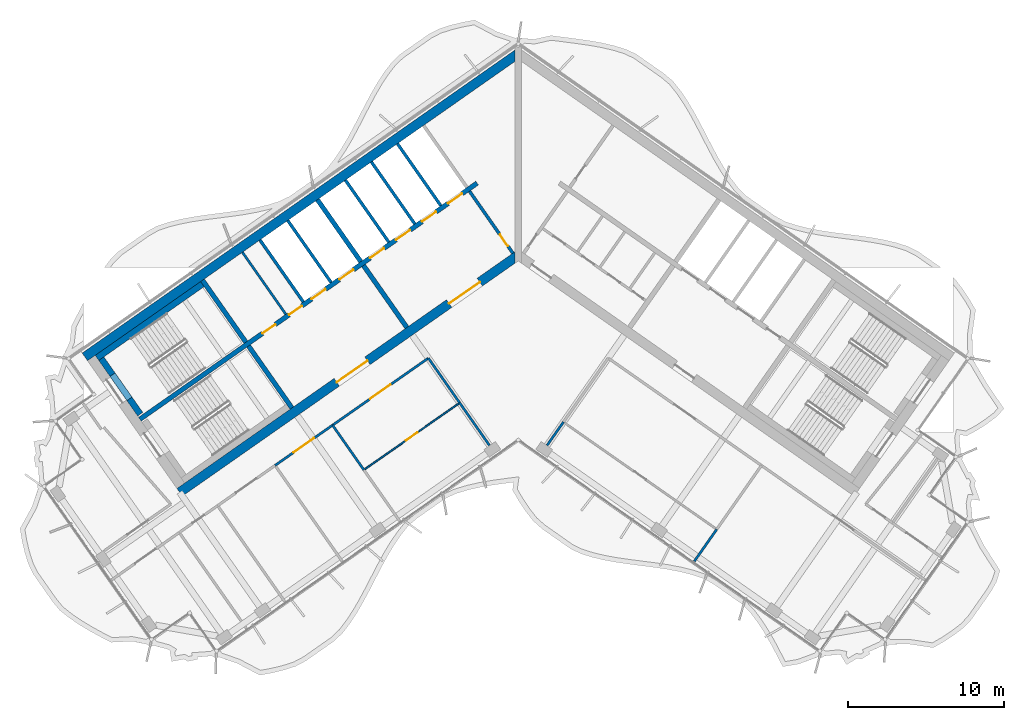
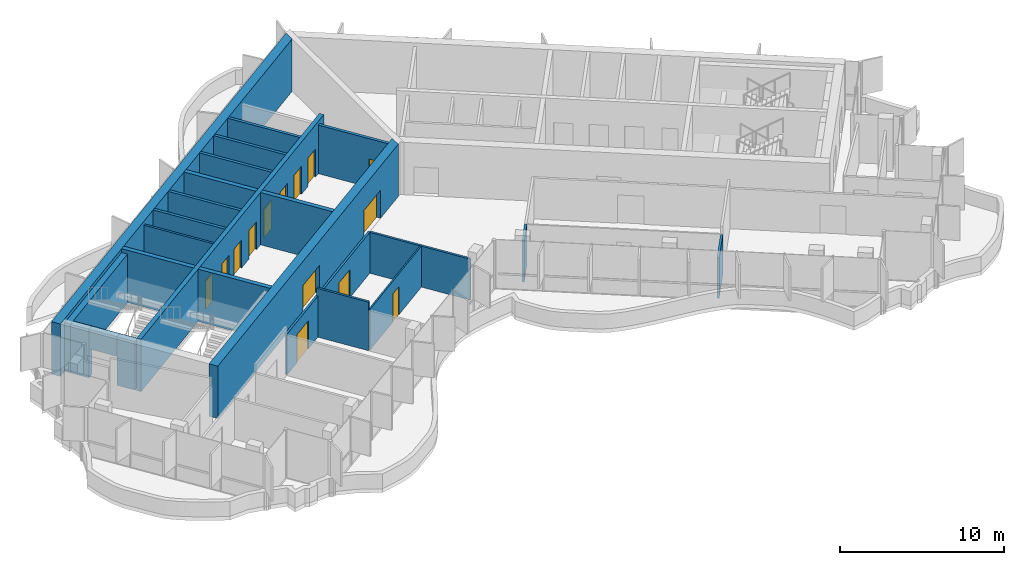
# One storey, part 9 of 18: 26 walls, 14 doors, 14 openings.
"""IFC4 building model written with IfcOpenShell, lengths in metres."""

from ifc_helpers import new_model, si_unit, direction, frame, frame_2d, origin, place, context, subcontext, project, spatial, polyline, rectangle, outline, extrude, material, layer, layer_set, type_object, element, fill, save


model = new_model("IFC4")

# Units and contexts
model_context = context("Model", 3, precision=1e-05, world=origin(), true_north=direction((0.0, 1.0)))
body_context = subcontext(model_context, "Body", "Model", "MODEL_VIEW")
ifc_project = project(units=[si_unit("LENGTHUNIT", "METRE"), si_unit("AREAUNIT", "SQUARE_METRE"), si_unit("VOLUMEUNIT", "CUBIC_METRE"), si_unit("PLANEANGLEUNIT", "RADIAN"), si_unit("MASSUNIT", "GRAM", prefix="KILO")], contexts=[model_context])

# Site, building, storey
site_placement = place(None, origin())
site = spatial("IfcSite", under=ifc_project, at=site_placement, CompositionType="ELEMENT")
building_placement = place(site_placement, origin())
building = spatial("IfcBuilding", under=site, at=building_placement, Name="Tel Ilan Convention Tower", CompositionType="ELEMENT")
storey_placement = place(building_placement, frame((0.0, 0.0, 299.5)))
storey = spatial("IfcBuildingStorey", under=building, at=storey_placement, Name="L71", CompositionType="ELEMENT", Elevation=299.5)

# Wall
ifc_material_1 = material(Name="Gypsum Plasterboard on Steel Stud", Category="steel")
ifc_layer_1 = layer(ifc_material_1, 0.14990234375)
ifc_layer_set_1 = layer_set([ifc_layer_1], Name="Core Room Partition Wall 150 mm EI 60")
wall_type_1 = type_object("IfcWallType", Name="Core Room Partition Wall 150 mm EI 60", PredefinedType="PARTITIONING", material=ifc_layer_set_1)
wall_1_placement = place(storey_placement, frame((-14.909423828125, -4.64111328125, 0.0), z_axis=(0.0, 0.0, 1.0), x_axis=(-0.573560315113, 0.819163332265, 0.0)))
element("IfcWall", 1, at=wall_1_placement, inside=storey, type_object=wall_type_1, Name="L71 core wall bank-W2-split", PredefinedType="PARTITIONING", context=body_context, shape_type="SweptSolid", body=[
    extrude(rectangle(XDim=4.849853515625, YDim=0.14990234375, at=frame_2d((2.4248046875, 0.0))), origin(), (0.0, 0.0, 1.0), 3.6201171875),
])

# Wall, opening, door
ifc_material_2 = material(Name="Concrete C30/37", Category="concrete")
ifc_layer_2 = layer(ifc_material_2, 0.199951171875)
ifc_layer_set_2 = layer_set([ifc_layer_2], Name="Core Service Room Wall 200 mm C30/37")
wall_type_2 = type_object("IfcWallType", Name="Core Service Room Wall 200 mm C30/37", PredefinedType="SOLIDWALL", material=ifc_layer_set_2)
wall_2_placement = place(storey_placement, frame((-0.343994140625, -0.729248046875, 0.0), z_axis=(0.0, 0.0, 1.0), x_axis=(-0.573560315113, 0.819163332265, 0.0)))
wall_2 = element("IfcWall", 2, at=wall_2_placement, inside=storey, type_object=wall_type_2, Name="L71 core wall apex-W", PredefinedType="SOLIDWALL", context=body_context, shape_type="SweptSolid", body=[
    extrude(rectangle(XDim=4.849853515625, YDim=0.199951171875, at=frame_2d((2.4248046875, 0.0))), origin(), (0.0, 0.0, 1.0), 3.6201171875),
])
opening_1_placement = place(wall_2_placement, frame((0.550048828125, 0.0, 0.0)))
opening_1 = element("IfcOpeningElement", 3, at=opening_1_placement, cuts=wall_2, Name="Opening CD5402", PredefinedType="OPENING", context=body_context, shape_type="SweptSolid", body=[
    extrude(rectangle(XDim=0.89990234375, YDim=2.10009765625, at=frame_2d((0.449951171875, 1.050048828125))), frame((0.0, 0.10986328125, 0.0), z_axis=(0.0, -1.0, 0.0), x_axis=(1.0, 0.0, 0.0)), (0.0, 0.0, 1.0), 0.219970703125),
])
ifc_material_3 = material(Name="Galvanised Steel Door Leaf", Category="steel")
door_type_1 = type_object("IfcDoorType", Name="Service Room Door 900 x 2100 FD60", OperationType="NOTDEFINED", PredefinedType="DOOR", material=ifc_material_3)
door_1_placement = place(opening_1_placement, origin())
door_1 = element("IfcDoor", 4, at=door_1_placement, inside=storey, type_object=door_type_1, Name="Telecom Room door", OperationType="SINGLE_SWING_RIGHT", OverallHeight=2.10009765625, OverallWidth=0.89990234375, PredefinedType="DOOR", context=body_context, shape_type="SweptSolid", body=[
    extrude(rectangle(XDim=0.89990234375, YDim=2.10009765625, at=frame_2d((0.449951171875, 1.050048828125))), frame((0.0, 0.02490234375, 0.0), z_axis=(0.0, -1.0, 0.0), x_axis=(1.0, 0.0, 0.0)), (0.0, 0.0, 1.0), 0.050048828125),
])
fill(opening_1, door_1)

# Walls
ifc_material_4 = material(Name="Concrete C40/50", Category="concrete")
ifc_layer_3 = layer(ifc_material_4, 0.300048828125)
ifc_layer_set_3 = layer_set([ifc_layer_3], Name="Core Shear Wall 300 mm C40/50")
wall_type_3 = type_object("IfcWallType", Name="Core Shear Wall 300 mm C40/50", PredefinedType="SHEAR", material=ifc_layer_set_3)
wall_3_placement = place(storey_placement, frame((-7.142822265625, -5.48974609375, 0.0), z_axis=(0.0, 0.0, 1.0), x_axis=(-0.573617744349, 0.819123118565, 0.0)))
element("IfcWall", 5, at=wall_3_placement, inside=storey, type_object=wall_type_3, Name="L71 core wall W-cross1-1", PredefinedType="SHEAR", context=body_context, shape_type="SweptSolid", body=[
    extrude(outline(polyline([(4.85009765625, 0.14990234375), (0.0, 0.150146484375), (0.0, -0.14990234375), (4.85009765625, -0.150146484375), (4.85009765625, 0.14990234375)])), origin(), (0.0, 0.0, 1.0), 3.89990234375),
])
wall_4_placement = place(storey_placement, frame((-10.096923828125, -1.271240234375, 0.0), z_axis=(0.0, 0.0, 1.0), x_axis=(-0.573560315113, 0.819163332265, 0.0)))
element("IfcWall", 6, at=wall_4_placement, inside=storey, type_object=wall_type_3, Name="L71 core wall W-cross1-2", PredefinedType="SHEAR", context=body_context, shape_type="SweptSolid", body=[
    extrude(outline(polyline([(4.849853515625, -0.14990234375), (4.849853515625, 0.150146484375), (0.0, 0.14990234375), (0.0, -0.150146484375), (4.849853515625, -0.14990234375)])), origin(), (0.0, 0.0, 1.0), 3.89990234375),
])
wall_5_placement = place(storey_placement, frame((-14.515380859375, -10.652099609375, 0.0), z_axis=(0.0, 0.0, 1.0), x_axis=(-0.573560315113, 0.819163332265, 0.0)))
element("IfcWall", 7, at=wall_5_placement, inside=storey, type_object=wall_type_3, Name="L71 core wall W-cross2-1", PredefinedType="SHEAR", context=body_context, shape_type="SweptSolid", body=[
    extrude(outline(polyline([(4.85009765625, 0.14990234375), (0.0, 0.14990234375), (0.0, -0.150146484375), (4.85009765625, -0.14990234375), (4.85009765625, 0.14990234375)])), origin(), (0.0, 0.0, 1.0), 3.89990234375),
])
wall_6_placement = place(storey_placement, frame((-17.46923828125, -6.433349609375, 0.0), z_axis=(0.0, 0.0, 1.0), x_axis=(-0.573594092424, 0.81913968109, 0.0)))
element("IfcWall", 8, at=wall_6_placement, inside=storey, type_object=wall_type_3, Name="L71 core wall W-cross2-2", PredefinedType="SHEAR", context=body_context, shape_type="SweptSolid", body=[
    extrude(outline(polyline([(4.849853515625, -0.150146484375), (4.849853515625, 0.14990234375), (0.0, 0.14990234375), (0.0, -0.14990234375), (4.849853515625, -0.150146484375)])), origin(), (0.0, 0.0, 1.0), 3.89990234375),
])

# Wall, openings, doors
wall_7_placement = place(storey_placement, frame((-2.638427734375, 3.76806640625, 0.0), z_axis=(0.0, 0.0, 1.0), x_axis=(-0.819155014212, -0.573572194837, 0.0)))
wall_7 = element("IfcWall", 9, at=wall_7_placement, inside=storey, type_object=wall_type_3, Name="L71 core wall W-spine", PredefinedType="SHEAR", context=body_context, shape_type="SweptSolid", body=[
    extrude(outline(polyline([(26.39990234375, 0.150146484375), (0.0, 0.14990234375), (0.0, -0.150146484375), (26.39990234375, -0.14990234375), (26.39990234375, 0.150146484375)])), origin(), (0.0, 0.0, 1.0), 3.89990234375),
])
opening_2_placement = place(wall_7_placement, frame((1.168701171875, 0.0, 0.0)))
opening_2 = element("IfcOpeningElement", 10, at=opening_2_placement, cuts=wall_7, Name="Opening LD5404", PredefinedType="OPENING", context=body_context, shape_type="SweptSolid", body=[
    extrude(rectangle(XDim=1.10009765625, YDim=2.10009765625, at=frame_2d((0.550048828125, 1.050048828125))), frame((0.0, 0.159912109375, 0.0), z_axis=(0.0, -1.0, 0.0), x_axis=(1.0, 0.0, 0.0)), (0.0, 0.0, 1.0), 0.320068359375),
])
opening_3_placement = place(wall_7_placement, frame((3.206298828125, 0.0, 0.0)))
opening_3 = element("IfcOpeningElement", 11, at=opening_3_placement, cuts=wall_7, Name="Opening LD5405", PredefinedType="OPENING", context=body_context, shape_type="SweptSolid", body=[
    extrude(rectangle(XDim=1.10009765625, YDim=2.10009765625, at=frame_2d((0.550048828125, 1.050048828125))), frame((0.0, 0.159912109375, 0.0), z_axis=(0.0, -1.0, 0.0), x_axis=(1.0, 0.0, 0.0)), (0.0, 0.0, 1.0), 0.320068359375),
])
opening_4_placement = place(wall_7_placement, frame((5.24365234375, 0.0, 0.0)))
opening_4 = element("IfcOpeningElement", 12, at=opening_4_placement, cuts=wall_7, Name="Opening LD5406", PredefinedType="OPENING", context=body_context, shape_type="SweptSolid", body=[
    extrude(rectangle(XDim=1.10009765625, YDim=2.10009765625, at=frame_2d((0.550048828125, 1.050048828125))), frame((0.0, 0.159912109375, 0.0), z_axis=(0.0, -1.0, 0.0), x_axis=(1.0, 0.0, 0.0)), (0.0, 0.0, 1.0), 0.320068359375),
])
opening_5_placement = place(wall_7_placement, frame((7.28125, 0.0, 0.0)))
opening_5 = element("IfcOpeningElement", 13, at=opening_5_placement, cuts=wall_7, Name="Opening LD5407", PredefinedType="OPENING", context=body_context, shape_type="SweptSolid", body=[
    extrude(rectangle(XDim=1.10009765625, YDim=2.10009765625, at=frame_2d((0.550048828125, 1.050048828125))), frame((0.0, 0.159912109375, 0.0), z_axis=(0.0, -1.0, 0.0), x_axis=(1.0, 0.0, 0.0)), (0.0, 0.0, 1.0), 0.320068359375),
])
opening_6_placement = place(wall_7_placement, frame((9.6875, 0.0, 0.0)))
opening_6 = element("IfcOpeningElement", 14, at=opening_6_placement, cuts=wall_7, Name="Opening LD5408", PredefinedType="OPENING", context=body_context, shape_type="SweptSolid", body=[
    extrude(rectangle(XDim=1.10009765625, YDim=2.10009765625, at=frame_2d((0.550048828125, 1.050048828125))), frame((0.0, 0.159912109375, 0.0), z_axis=(0.0, -1.0, 0.0), x_axis=(1.0, 0.0, 0.0)), (0.0, 0.0, 1.0), 0.320068359375),
])
opening_7_placement = place(wall_7_placement, frame((11.862548828125, 0.0, 0.0)))
opening_7 = element("IfcOpeningElement", 15, at=opening_7_placement, cuts=wall_7, Name="Opening LD5409", PredefinedType="OPENING", context=body_context, shape_type="SweptSolid", body=[
    extrude(rectangle(XDim=1.10009765625, YDim=2.10009765625, at=frame_2d((0.550048828125, 1.050048828125))), frame((0.0, 0.159912109375, 0.0), z_axis=(0.0, -1.0, 0.0), x_axis=(1.0, 0.0, 0.0)), (0.0, 0.0, 1.0), 0.320068359375),
])
opening_8_placement = place(wall_7_placement, frame((13.722412109375, 0.0, 0.0)))
opening_8 = element("IfcOpeningElement", 16, at=opening_8_placement, cuts=wall_7, Name="Opening CD5409", PredefinedType="OPENING", context=body_context, shape_type="SweptSolid", body=[
    extrude(rectangle(XDim=1.0, YDim=2.10009765625, at=frame_2d((0.5, 1.050048828125))), frame((0.0, 0.159912109375, 0.0), z_axis=(0.0, -1.0, 0.0), x_axis=(1.0, 0.0, 0.0)), (0.0, 0.0, 1.0), 0.320068359375),
])
opening_9_placement = place(wall_7_placement, frame((15.797607421875, 0.0, 0.0)))
opening_9 = element("IfcOpeningElement", 17, at=opening_9_placement, cuts=wall_7, Name="Opening CD5410", PredefinedType="OPENING", context=body_context, shape_type="SweptSolid", body=[
    extrude(rectangle(XDim=1.0, YDim=2.10009765625, at=frame_2d((0.5, 1.050048828125))), frame((0.0, 0.159912109375, 0.0), z_axis=(0.0, -1.0, 0.0), x_axis=(1.0, 0.0, 0.0)), (0.0, 0.0, 1.0), 0.320068359375),
])
ifc_material_5 = material(Name="Stainless Steel Sliding Door Leaf", Category="steel")
door_type_2 = type_object("IfcDoorType", Name="Lift Landing Door 1100 x 2100 FD120", OperationType="NOTDEFINED", PredefinedType="DOOR", material=ifc_material_5)
door_2_placement = place(opening_2_placement, origin())
door_2 = element("IfcDoor", 18, at=door_2_placement, inside=storey, type_object=door_type_2, Name="Lift HR1 landing door", OperationType="SLIDING_TO_LEFT", OverallHeight=2.10009765625, OverallWidth=1.10009765625, PredefinedType="DOOR", context=body_context, shape_type="SweptSolid", body=[
    extrude(rectangle(XDim=1.10009765625, YDim=2.10009765625, at=frame_2d((0.550048828125, 1.050048828125))), frame((0.0, 0.02490234375, 0.0), z_axis=(0.0, -1.0, 0.0), x_axis=(1.0, 0.0, 0.0)), (0.0, 0.0, 1.0), 0.050048828125),
])
fill(opening_2, door_2)
door_3_placement = place(opening_3_placement, origin())
door_3 = element("IfcDoor", 19, at=door_3_placement, inside=storey, type_object=door_type_2, Name="Lift HR2 landing door", OperationType="SLIDING_TO_RIGHT", OverallHeight=2.10009765625, OverallWidth=1.10009765625, PredefinedType="DOOR", context=body_context, shape_type="SweptSolid", body=[
    extrude(rectangle(XDim=1.10009765625, YDim=2.10009765625, at=frame_2d((0.550048828125, 1.050048828125))), frame((0.0, 0.02490234375, 0.0), z_axis=(0.0, -1.0, 0.0), x_axis=(1.0, 0.0, 0.0)), (0.0, 0.0, 1.0), 0.050048828125),
])
fill(opening_3, door_3)
door_4_placement = place(opening_4_placement, origin())
door_4 = element("IfcDoor", 20, at=door_4_placement, inside=storey, type_object=door_type_2, Name="Lift HR3 landing door", OperationType="SLIDING_TO_LEFT", OverallHeight=2.10009765625, OverallWidth=1.10009765625, PredefinedType="DOOR", context=body_context, shape_type="SweptSolid", body=[
    extrude(rectangle(XDim=1.10009765625, YDim=2.10009765625, at=frame_2d((0.550048828125, 1.050048828125))), frame((0.0, 0.02490234375, 0.0), z_axis=(0.0, -1.0, 0.0), x_axis=(1.0, 0.0, 0.0)), (0.0, 0.0, 1.0), 0.050048828125),
])
fill(opening_4, door_4)
door_5_placement = place(opening_5_placement, origin())
door_5 = element("IfcDoor", 21, at=door_5_placement, inside=storey, type_object=door_type_2, Name="Lift HR4 landing door", OperationType="SLIDING_TO_RIGHT", OverallHeight=2.10009765625, OverallWidth=1.10009765625, PredefinedType="DOOR", context=body_context, shape_type="SweptSolid", body=[
    extrude(rectangle(XDim=1.10009765625, YDim=2.10009765625, at=frame_2d((0.550048828125, 1.050048828125))), frame((0.0, 0.02490234375, 0.0), z_axis=(0.0, -1.0, 0.0), x_axis=(1.0, 0.0, 0.0)), (0.0, 0.0, 1.0), 0.050048828125),
])
fill(opening_5, door_5)
door_6_placement = place(opening_6_placement, origin())
door_6 = element("IfcDoor", 22, at=door_6_placement, inside=storey, type_object=door_type_2, Name="Lift HR5 landing door", OperationType="SLIDING_TO_LEFT", OverallHeight=2.10009765625, OverallWidth=1.10009765625, PredefinedType="DOOR", context=body_context, shape_type="SweptSolid", body=[
    extrude(rectangle(XDim=1.10009765625, YDim=2.10009765625, at=frame_2d((0.550048828125, 1.050048828125))), frame((0.0, 0.02490234375, 0.0), z_axis=(0.0, -1.0, 0.0), x_axis=(1.0, 0.0, 0.0)), (0.0, 0.0, 1.0), 0.050048828125),
])
fill(opening_6, door_6)
door_7_placement = place(opening_7_placement, origin())
door_7 = element("IfcDoor", 23, at=door_7_placement, inside=storey, type_object=door_type_2, Name="Lift HR6 landing door", OperationType="SLIDING_TO_RIGHT", OverallHeight=2.10009765625, OverallWidth=1.10009765625, PredefinedType="DOOR", context=body_context, shape_type="SweptSolid", body=[
    extrude(rectangle(XDim=1.10009765625, YDim=2.10009765625, at=frame_2d((0.550048828125, 1.050048828125))), frame((0.0, 0.02490234375, 0.0), z_axis=(0.0, -1.0, 0.0), x_axis=(1.0, 0.0, 0.0)), (0.0, 0.0, 1.0), 0.050048828125),
])
fill(opening_7, door_7)
ifc_material_6 = material(Name="Galvanised Steel Door Leaf", Category="steel")
door_type_3 = type_object("IfcDoorType", Name="Service Room Door 1000 x 2100 FD60", OperationType="NOTDEFINED", PredefinedType="DOOR", material=ifc_material_6)
door_8_placement = place(opening_8_placement, origin())
door_8 = element("IfcDoor", 24, at=door_8_placement, inside=storey, type_object=door_type_3, Name="Plant Room door", OperationType="SINGLE_SWING_RIGHT", OverallHeight=2.10009765625, OverallWidth=1.0, PredefinedType="DOOR", context=body_context, shape_type="SweptSolid", body=[
    extrude(rectangle(XDim=1.0, YDim=2.10009765625, at=frame_2d((0.5, 1.050048828125))), frame((0.0, 0.02490234375, 0.0), z_axis=(0.0, -1.0, 0.0), x_axis=(1.0, 0.0, 0.0)), (0.0, 0.0, 1.0), 0.050048828125),
])
fill(opening_8, door_8)
door_9_placement = place(opening_9_placement, origin())
door_9 = element("IfcDoor", 25, at=door_9_placement, inside=storey, type_object=door_type_3, Name="Plant Room door", OperationType="SINGLE_SWING_RIGHT", OverallHeight=2.10009765625, OverallWidth=1.0, PredefinedType="DOOR", context=body_context, shape_type="SweptSolid", body=[
    extrude(rectangle(XDim=1.0, YDim=2.10009765625, at=frame_2d((0.5, 1.050048828125))), frame((0.0, 0.02490234375, 0.0), z_axis=(0.0, -1.0, 0.0), x_axis=(1.0, 0.0, 0.0)), (0.0, 0.0, 1.0), 0.050048828125),
])
fill(opening_9, door_9)

# Wall
ifc_material_7 = material(Name="Concrete C40/50", Category="concrete")
ifc_layer_4 = layer(ifc_material_7, 0.60009765625)
ifc_layer_set_4 = layer_set([ifc_layer_4], Name="Core Shear Wall 600 mm C40/50")
wall_type_4 = type_object("IfcWallType", Name="Core Shear Wall 600 mm C40/50", PredefinedType="SHEAR", material=ifc_layer_set_4)
wall_8_placement = place(storey_placement, frame((-0.02783203125, 12.066162109375, 0.0), z_axis=(0.0, 0.0, 1.0), x_axis=(-0.819151382952, -0.573577380837, 0.0)))
element("IfcWall", 26, at=wall_8_placement, inside=storey, type_object=wall_type_4, Name="L71 core wall W-back", PredefinedType="SHEAR", context=body_context, shape_type="SweptSolid", body=[
    extrude(outline(polyline([(33.89794921875, 0.300048828125), (0.420166015625, 0.300048828125), (0.0, -0.300048828125), (33.898193359375, -0.300048828125), (33.89794921875, 0.300048828125)])), origin(), (0.0, 0.0, 1.0), 3.89990234375),
])

# Wall, openings, doors
wall_9_placement = place(storey_placement, frame((-0.02783203125, -0.8740234375, 0.0), z_axis=(0.0, 0.0, 1.0), x_axis=(-0.819150035022, -0.573579305871, 0.0)))
wall_9 = element("IfcWall", 27, at=wall_9_placement, inside=storey, type_object=wall_type_4, Name="L71 core wall W-front", PredefinedType="SHEAR", context=body_context, shape_type="SweptSolid", body=[
    extrude(outline(polyline([(26.475830078125, 0.2998046875), (0.420166015625, 0.300048828125), (0.000244140625, -0.300048828125), (26.475830078125, -0.300048828125), (26.475830078125, 0.2998046875)])), origin(), (0.0, 0.0, 1.0), 3.89990234375),
])
opening_10_placement = place(wall_9_placement, frame((2.975830078125, 0.0, 0.0)))
opening_10 = element("IfcOpeningElement", 28, at=opening_10_placement, cuts=wall_9, Name="Opening CD5406", PredefinedType="OPENING", context=body_context, shape_type="SweptSolid", body=[
    extrude(rectangle(XDim=2.39990234375, YDim=2.10009765625, at=frame_2d((1.199951171875, 1.050048828125))), frame((0.0, 0.31005859375, 0.0), z_axis=(0.0, -1.0, 0.0), x_axis=(1.0, 0.0, 0.0)), (0.0, 0.0, 1.0), 0.6201171875),
])
opening_11_placement = place(wall_9_placement, frame((11.77587890625, 0.0, 0.0)))
opening_11 = element("IfcOpeningElement", 29, at=opening_11_placement, cuts=wall_9, Name="Opening CD5407", PredefinedType="OPENING", context=body_context, shape_type="SweptSolid", body=[
    extrude(rectangle(XDim=2.39990234375, YDim=2.10009765625, at=frame_2d((1.199951171875, 1.050048828125))), frame((0.0, 0.31005859375, 0.0), z_axis=(0.0, -1.0, 0.0), x_axis=(1.0, 0.0, 0.0)), (0.0, 0.0, 1.0), 0.6201171875),
])
ifc_material_8 = material(Name="Glazed Aluminium Door Leaf", Category="aluminium")
door_type_4 = type_object("IfcDoorType", Name="Lobby Opening Door 2400 x 2100 FD60S", OperationType="NOTDEFINED", PredefinedType="DOOR", material=ifc_material_8)
door_10_placement = place(opening_10_placement, origin())
door_10 = element("IfcDoor", 30, at=door_10_placement, inside=storey, type_object=door_type_4, Name="Lift Lobby HR1-HR4 opening", OperationType="DOUBLE_DOOR_SINGLE_SWING", OverallHeight=2.10009765625, OverallWidth=2.39990234375, PredefinedType="DOOR", context=body_context, shape_type="SweptSolid", body=[
    extrude(rectangle(XDim=2.39990234375, YDim=2.10009765625, at=frame_2d((1.199951171875, 1.050048828125))), frame((0.0, 0.02490234375, 0.0), z_axis=(0.0, -1.0, 0.0), x_axis=(1.0, 0.0, 0.0)), (0.0, 0.0, 1.0), 0.050048828125),
])
fill(opening_10, door_10)
door_11_placement = place(opening_11_placement, origin())
door_11 = element("IfcDoor", 31, at=door_11_placement, inside=storey, type_object=door_type_4, Name="Lift Lobby HR5-HR6 opening", OperationType="DOUBLE_DOOR_SINGLE_SWING", OverallHeight=2.10009765625, OverallWidth=2.39990234375, PredefinedType="DOOR", context=body_context, shape_type="SweptSolid", body=[
    extrude(rectangle(XDim=2.39990234375, YDim=2.10009765625, at=frame_2d((1.199951171875, 1.050048828125))), frame((0.0, 0.02490234375, 0.0), z_axis=(0.0, -1.0, 0.0), x_axis=(1.0, 0.0, 0.0)), (0.0, 0.0, 1.0), 0.050048828125),
])
fill(opening_11, door_11)

# Wall, opening, door
ifc_material_9 = material(Name="Plasterboard on Steel Studs", Category="steel")
ifc_layer_5 = layer(ifc_material_9, 0.14990234375)
ifc_layer_set_5 = layer_set([ifc_layer_5], Name="Fire-rated Partition 150 EI 60")
wall_type_5 = type_object("IfcWallType", Name="Fire-rated Partition 150 EI 60", PredefinedType="PARTITIONING", material=ifc_layer_set_5)
wall_10_placement = place(storey_placement, frame((-5.766357421875, -7.455810546875, 0.0), z_axis=(0.0, 0.0, 1.0), x_axis=(-0.819150881364, -0.573578097177, 0.0)))
wall_10 = element("IfcWall", 32, at=wall_10_placement, inside=storey, type_object=wall_type_5, Name="Partition 006", PredefinedType="PARTITIONING", context=body_context, shape_type="SweptSolid", body=[
    extrude(rectangle(XDim=7.501953125, YDim=0.14990234375, at=frame_2d((3.7509765625, 0.0))), origin(), (0.0, 0.0, 1.0), 3.050048828125),
])
opening_12_placement = place(wall_10_placement, frame((2.950927734375, 0.0, 0.0)))
opening_12 = element("IfcOpeningElement", 33, at=opening_12_placement, cuts=wall_10, Name="Opening L71-001", PredefinedType="OPENING", context=body_context, shape_type="SweptSolid", body=[
    extrude(rectangle(XDim=1.60009765625, YDim=2.10009765625, at=frame_2d((0.800048828125, 1.050048828125))), frame((0.0, 0.0849609375, 0.0), z_axis=(0.0, -1.0, 0.0), x_axis=(1.0, 0.0, 0.0)), (0.0, 0.0, 1.0), 0.169921875),
])
ifc_material_10 = material(Name="Timber Door Leaf in Steel Frame", Category="steel")
door_type_5 = type_object("IfcDoorType", Name="Tenant Suite Entrance Fire Door 1600x2100", OperationType="NOTDEFINED", PredefinedType="DOOR", material=ifc_material_10)
door_12_placement = place(opening_12_placement, origin())
door_12 = element("IfcDoor", 34, at=door_12_placement, inside=storey, type_object=door_type_5, Name="Door L71-001", OperationType="DOUBLE_DOOR_SINGLE_SWING", OverallHeight=2.10009765625, OverallWidth=1.60009765625, PredefinedType="DOOR", context=body_context, shape_type="SweptSolid", body=[
    extrude(rectangle(XDim=1.60009765625, YDim=2.10009765625, at=frame_2d((0.800048828125, 1.050048828125))), frame((0.0, 0.02490234375, 0.0), z_axis=(0.0, -1.0, 0.0), x_axis=(1.0, 0.0, 0.0)), (0.0, 0.0, 1.0), 0.050048828125),
])
fill(opening_12, door_12)

wall_11_placement = place(storey_placement, frame((-11.908447265625, -11.756591796875, 0.0), z_axis=(0.0, 0.0, 1.0), x_axis=(-0.819165703328, -0.573556928727, 0.0)))
wall_11 = element("IfcWall", 35, at=wall_11_placement, inside=storey, type_object=wall_type_5, Name="Partition 007", PredefinedType="PARTITIONING", context=body_context, shape_type="SweptSolid", body=[
    extrude(rectangle(XDim=4.50390625, YDim=0.14990234375, at=frame_2d((2.251953125, 0.0))), origin(), (0.0, 0.0, 1.0), 3.050048828125),
])
opening_13_placement = place(wall_11_placement, frame((1.451904296875, 0.0, 0.0)))
opening_13 = element("IfcOpeningElement", 36, at=opening_13_placement, cuts=wall_11, Name="Opening L71-003", PredefinedType="OPENING", context=body_context, shape_type="SweptSolid", body=[
    extrude(rectangle(XDim=1.60009765625, YDim=2.10009765625, at=frame_2d((0.800048828125, 1.050048828125))), frame((0.0, 0.0849609375, 0.0), z_axis=(0.0, -1.0, 0.0), x_axis=(1.0, 0.0, 0.0)), (0.0, 0.0, 1.0), 0.169921875),
])
door_13_placement = place(opening_13_placement, origin())
door_13 = element("IfcDoor", 37, at=door_13_placement, inside=storey, type_object=door_type_5, Name="Door L71-003", OperationType="DOUBLE_DOOR_SINGLE_SWING", OverallHeight=2.10009765625, OverallWidth=1.60009765625, PredefinedType="DOOR", context=body_context, shape_type="SweptSolid", body=[
    extrude(rectangle(XDim=1.60009765625, YDim=2.10009765625, at=frame_2d((0.800048828125, 1.050048828125))), frame((0.0, 0.02490234375, 0.0), z_axis=(0.0, -1.0, 0.0), x_axis=(1.0, 0.0, 0.0)), (0.0, 0.0, 1.0), 0.050048828125),
])
fill(opening_13, door_13)

# Walls
wall_12_placement = place(storey_placement, frame((12.727783203125, -18.435302734375, 0.0), z_axis=(0.0, 0.0, 1.0), x_axis=(-0.573560689761, -0.819163069945, 0.0)))
element("IfcWall", 38, at=wall_12_placement, inside=storey, type_object=wall_type_5, Name="Partition 014", PredefinedType="PARTITIONING", context=body_context, shape_type="SweptSolid", body=[
    extrude(rectangle(XDim=2.4990234375, YDim=0.14990234375, at=frame_2d((1.24951171875, 0.0))), origin(), (0.0, 0.0, 1.0), 3.0),
])
wall_13_placement = place(storey_placement, frame((1.848876953125, -13.050537109375, 0.0), z_axis=(0.0, 0.0, 1.0), x_axis=(0.573623601139, 0.819119017125, 0.0)))
element("IfcWall", 39, at=wall_13_placement, inside=storey, type_object=wall_type_5, Name="Partition 015", PredefinedType="PARTITIONING", context=body_context, shape_type="SweptSolid", body=[
    extrude(rectangle(XDim=1.828857421875, YDim=0.14990234375, at=frame_2d((0.91455078125, 0.0))), origin(), (0.0, 0.0, 1.0), 3.050048828125),
])
wall_14_placement = place(storey_placement, frame((-1.848876953125, -13.050537109375, 0.0), z_axis=(0.0, 0.0, 1.0), x_axis=(-0.573600070244, 0.819135495151, 0.0)))
element("IfcWall", 40, at=wall_14_placement, inside=storey, type_object=wall_type_5, Name="Partition 018", PredefinedType="PARTITIONING", context=body_context, shape_type="SweptSolid", body=[
    extrude(rectangle(XDim=3.3310546875, YDim=0.14990234375, at=frame_2d((1.66552734375, 0.0))), origin(), (0.0, 0.0, 1.0), 3.050048828125),
])
wall_15_placement = place(storey_placement, frame((-3.7578125, -10.324462890625, 0.0), z_axis=(0.0, 0.0, 1.0), x_axis=(-0.573560539213, 0.819163175355, 0.0)))
element("IfcWall", 41, at=wall_15_placement, inside=storey, type_object=wall_type_5, Name="Partition 019", PredefinedType="PARTITIONING", context=body_context, shape_type="SweptSolid", body=[
    extrude(rectangle(XDim=3.50390625, YDim=0.14990234375, at=frame_2d((1.751953125, 0.0))), origin(), (0.0, 0.0, 1.0), 3.050048828125),
])
wall_16_placement = place(storey_placement, frame((-9.902587890625, -14.624755859375, 0.0), z_axis=(0.0, 0.0, 1.0), x_axis=(-0.573518520844, 0.819192594113, 0.0)))
element("IfcWall", 42, at=wall_16_placement, inside=storey, type_object=wall_type_5, Name="Partition 024", PredefinedType="PARTITIONING", context=body_context, shape_type="SweptSolid", body=[
    extrude(rectangle(XDim=3.5, YDim=0.14990234375, at=frame_2d((1.75, 0.0))), origin(), (0.0, 0.0, 1.0), 3.6201171875),
])
ifc_material_11 = material(Name="Concrete C30/37", Category="concrete")
ifc_layer_6 = layer(ifc_material_11, 0.199951171875)
ifc_layer_set_6 = layer_set([ifc_layer_6], Name="Lift Shaft Wall 200 mm C30/37")
wall_type_6 = type_object("IfcWallType", Name="Lift Shaft Wall 200 mm C30/37", PredefinedType="SOLIDWALL", material=ifc_layer_set_6)
wall_17_placement = place(storey_placement, frame((-4.966796875, 2.32080078125, 0.0), z_axis=(0.0, 0.0, 1.0), x_axis=(-0.573594092424, 0.81913968109, 0.0)))
element("IfcWall", 43, at=wall_17_placement, inside=storey, type_object=wall_type_6, Name="L71 core wall bank-W1-p0", PredefinedType="SOLIDWALL", context=body_context, shape_type="SweptSolid", body=[
    extrude(rectangle(XDim=4.85009765625, YDim=0.199951171875, at=frame_2d((2.425048828125, 0.0))), origin(), (0.0, 0.0, 1.0), 3.89990234375),
])
wall_18_placement = place(storey_placement, frame((-6.635986328125, 1.152099609375, 0.0), z_axis=(0.0, 0.0, 1.0), x_axis=(-0.573560315113, 0.819163332265, 0.0)))
element("IfcWall", 44, at=wall_18_placement, inside=storey, type_object=wall_type_6, Name="L71 core wall bank-W1-p1", PredefinedType="SOLIDWALL", context=body_context, shape_type="SweptSolid", body=[
    extrude(rectangle(XDim=4.849853515625, YDim=0.199951171875, at=frame_2d((2.4248046875, 0.0))), origin(), (0.0, 0.0, 1.0), 3.89990234375),
])
wall_19_placement = place(storey_placement, frame((-8.304931640625, -0.0166015625, 0.0), z_axis=(0.0, 0.0, 1.0), x_axis=(-0.573594092424, 0.81913968109, 0.0)))
element("IfcWall", 45, at=wall_19_placement, inside=storey, type_object=wall_type_6, Name="L71 core wall bank-W1-p2", PredefinedType="SOLIDWALL", context=body_context, shape_type="SweptSolid", body=[
    extrude(rectangle(XDim=4.85009765625, YDim=0.199951171875, at=frame_2d((2.425048828125, 0.0))), origin(), (0.0, 0.0, 1.0), 3.89990234375),
])
wall_20_placement = place(storey_placement, frame((-12.00146484375, -2.604736328125, 0.0), z_axis=(0.0, 0.0, 1.0), x_axis=(-0.573560315113, 0.819163332265, 0.0)))
element("IfcWall", 46, at=wall_20_placement, inside=storey, type_object=wall_type_6, Name="L71 core wall bank-W2-p0", PredefinedType="SOLIDWALL", context=body_context, shape_type="SweptSolid", body=[
    extrude(rectangle(XDim=4.849853515625, YDim=0.199951171875, at=frame_2d((2.4248046875, 0.0))), origin(), (0.0, 0.0, 1.0), 3.89990234375),
])
wall_21_placement = place(storey_placement, frame((-13.782958984375, -3.852294921875, 0.0), z_axis=(0.0, 0.0, 1.0), x_axis=(-0.573594092424, 0.81913968109, 0.0)))
element("IfcWall", 47, at=wall_21_placement, inside=storey, type_object=wall_type_6, Name="L71 core wall bank-W2-p1", PredefinedType="SOLIDWALL", context=body_context, shape_type="SweptSolid", body=[
    extrude(rectangle(XDim=4.85009765625, YDim=0.199951171875, at=frame_2d((2.425048828125, 0.0))), origin(), (0.0, 0.0, 1.0), 3.89990234375),
])

# Wall, opening, door
ifc_material_12 = material(Name="Plasterboard on Steel Studs", Category="steel")
ifc_layer_7 = layer(ifc_material_12, 0.10009765625)
ifc_layer_set_7 = layer_set([ifc_layer_7], Name="Plasterboard Partition 100")
wall_type_7 = type_object("IfcWallType", Name="Plasterboard Partition 100", PredefinedType="PARTITIONING", material=ifc_layer_set_7)
wall_22_placement = place(storey_placement, frame((-3.75830078125, -10.32373046875, 0.0), z_axis=(0.0, 0.0, 1.0), x_axis=(-0.81915238829, -0.573575945067, 0.0)))
wall_22 = element("IfcWall", 48, at=wall_22_placement, inside=storey, type_object=wall_type_7, Name="Partition 022", PredefinedType="PARTITIONING", context=body_context, shape_type="SweptSolid", body=[
    extrude(rectangle(XDim=7.5, YDim=0.10009765625, at=frame_2d((3.75, 0.0))), origin(), (0.0, 0.0, 1.0), 3.050048828125),
])
opening_14_placement = place(wall_22_placement, frame((3.300048828125, 0.0, 0.0)))
opening_14 = element("IfcOpeningElement", 49, at=opening_14_placement, cuts=wall_22, Name="Opening L71-002", PredefinedType="OPENING", context=body_context, shape_type="SweptSolid", body=[
    extrude(rectangle(XDim=0.89990234375, YDim=2.10009765625, at=frame_2d((0.449951171875, 1.050048828125))), frame((0.0, 0.06005859375, 0.0), z_axis=(0.0, -1.0, 0.0), x_axis=(1.0, 0.0, 0.0)), (0.0, 0.0, 1.0), 0.1201171875),
])
ifc_material_13 = material(Name="Timber Door Leaf in Steel Frame", Category="steel")
door_type_6 = type_object("IfcDoorType", Name="Room Timber Door 900x2100", OperationType="NOTDEFINED", PredefinedType="DOOR", material=ifc_material_13)
door_14_placement = place(opening_14_placement, origin())
door_14 = element("IfcDoor", 50, at=door_14_placement, inside=storey, type_object=door_type_6, Name="Door L71-002", OperationType="SINGLE_SWING_RIGHT", OverallHeight=2.10009765625, OverallWidth=0.89990234375, PredefinedType="DOOR", context=body_context, shape_type="SweptSolid", body=[
    extrude(rectangle(XDim=0.89990234375, YDim=2.10009765625, at=frame_2d((0.449951171875, 1.050048828125))), frame((0.0, 0.02490234375, 0.0), z_axis=(0.0, -1.0, 0.0), x_axis=(1.0, 0.0, 0.0)), (0.0, 0.0, 1.0), 0.050048828125),
])
fill(opening_14, door_14)

# Walls
ifc_material_14 = material(Name="Concrete C30/37", Category="concrete")
ifc_layer_8 = layer(ifc_material_14, 0.39990234375)
ifc_layer_set_8 = layer_set([ifc_layer_8], Name="Stair and Shaft Lining Wall 400 mm C30/37")
wall_type_8 = type_object("IfcWallType", Name="Stair and Shaft Lining Wall 400 mm C30/37", PredefinedType="SOLIDWALL", material=ifc_layer_set_8)
wall_23_placement = place(storey_placement, frame((-20.25927734375, -2.71044921875, 0.0), z_axis=(0.0, 0.0, 1.0), x_axis=(-0.81914849389, -0.573581506813, 0.0)))
element("IfcWall", 51, at=wall_23_placement, inside=storey, type_object=wall_type_8, Name="L71 core wall lining-S1-t1", PredefinedType="SOLIDWALL", context=body_context, shape_type="SweptSolid", body=[
    extrude(rectangle(XDim=8.249755859375, YDim=0.39990234375, at=frame_2d((4.125, 0.0))), origin(), (0.0, 0.0, 1.0), 3.6201171875),
])
wall_24_placement = place(storey_placement, frame((-24.24365234375, -11.0546875, 0.0), z_axis=(0.0, 0.0, 1.0), x_axis=(-0.573571582932, 0.819155442668, 0.0)))
element("IfcWall", 52, at=wall_24_placement, inside=storey, type_object=wall_type_8, Name="L71 core wall lining-S1-u1-0", PredefinedType="SOLIDWALL", context=body_context, shape_type="SweptSolid", body=[
    extrude(rectangle(XDim=1.199951171875, YDim=0.39990234375, at=frame_2d((0.60009765625, 0.0))), origin(), (0.0, 0.0, 1.0), 3.6201171875),
])
wall_25_placement = place(storey_placement, frame((-26.021728515625, -8.515380859375, 0.0), z_axis=(0.0, 0.0, 1.0), x_axis=(-0.573619628835, 0.819121798889, 0.0)))
element("IfcWall", 53, at=wall_25_placement, inside=storey, type_object=wall_type_8, Name="L71 core wall lining-S1-u1-1", PredefinedType="SOLIDWALL", context=body_context, shape_type="SweptSolid", body=[
    extrude(rectangle(XDim=1.25, YDim=0.39990234375, at=frame_2d((0.625, 0.0))), origin(), (0.0, 0.0, 1.0), 3.6201171875),
])
wall_26_placement = place(storey_placement, frame((-24.931884765625, -10.07177734375, 2.14990234375), z_axis=(0.0, 0.0, 1.0), x_axis=(-0.573591692345, 0.819141361715, 0.0)))
element("IfcWall", 54, at=wall_26_placement, inside=storey, type_object=wall_type_8, Name="L71 core wall lining-S1-u1-lintel", PredefinedType="SOLIDWALL", context=body_context, shape_type="SweptSolid", body=[
    extrude(rectangle(XDim=1.900146484375, YDim=0.39990234375, at=frame_2d((0.9501953125, 0.0))), origin(), (0.0, 0.0, 1.0), 1.47021484375),
])

save(model, "model.ifc")
